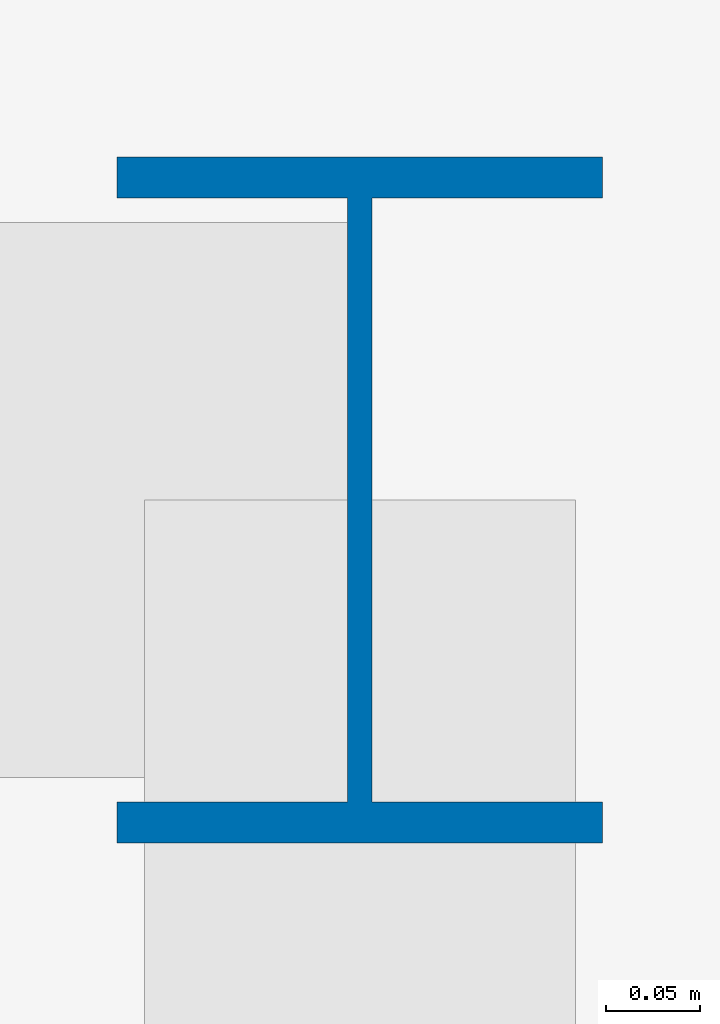
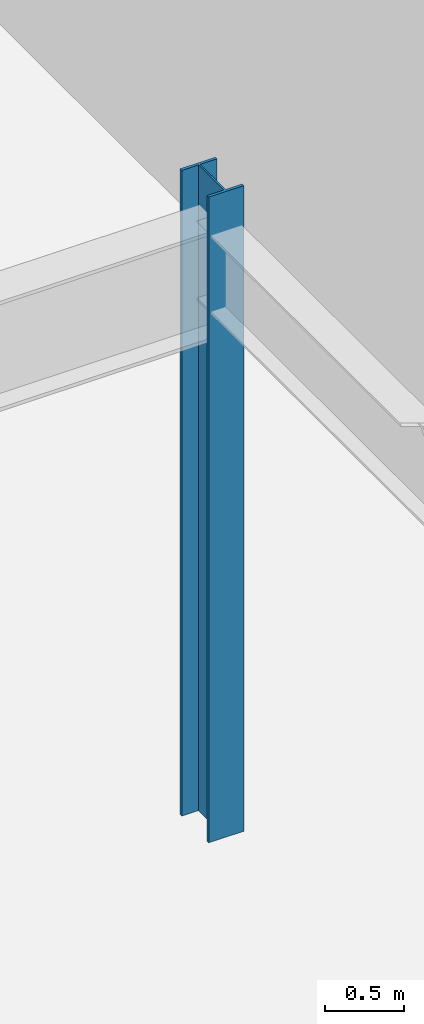
# One storey, part 3 of 14: 1 column.
"""IFC4 building model written with IfcOpenShell, lengths in metres."""

from ifc_helpers import new_model, si_unit, derived_unit, direction, frame, origin, origin_2d, place, context, subcontext, project, spatial, i_section, extrude, source, transform, mapped, material, material_profile, profile_set, type_object, element, save


model = new_model("IFC4")

# Units and contexts
model_context = context("Model", 3, precision=1e-05, world=origin(), true_north=direction((0.0, 1.0)))
body_context = subcontext(model_context, "Body", "Model", "MODEL_VIEW")
ifc_project = project(units=[si_unit("LENGTHUNIT", "METRE"), si_unit("AREAUNIT", "SQUARE_METRE"), si_unit("VOLUMEUNIT", "CUBIC_METRE"), si_unit("PLANEANGLEUNIT", "RADIAN"), si_unit("MASSUNIT", "GRAM", prefix="KILO"), derived_unit("THERMALTRANSMITTANCEUNIT", [(si_unit("POWERUNIT", "WATT"), 1), (si_unit("LENGTHUNIT", "METRE"), -2), (si_unit("THERMODYNAMICTEMPERATUREUNIT", "KELVIN"), -1)])], contexts=[model_context])

# Site, building, storey
site_placement = place(None, origin())
site = spatial("IfcSite", under=ifc_project, at=site_placement, CompositionType="ELEMENT")
building_placement = place(site_placement, origin())
building = spatial("IfcBuilding", under=site, at=building_placement, Name="Skarnbrae Concourse Arena and Tower", CompositionType="ELEMENT")
storey_placement = place(building_placement, frame((0.0, 0.0, 21.0)))
storey = spatial("IfcBuildingStorey", under=building, at=storey_placement, Name="L04", CompositionType="ELEMENT", Elevation=21.0)

# Column
ifc_material = material(Name="Steel CSA G40.21 350W", Category="steel")
ifc_material_profile = material_profile(ifc_material, i_section(OverallWidth=0.257080078125, OverallDepth=0.363037109375, WebThickness=0.012939453125, FlangeThickness=0.021728515625, at=origin_2d()), Name="W360X122")
ifc_profile_set = profile_set([ifc_material_profile], Name="Steel CSA G40.21 350W")
column_type = type_object("IfcColumnType", Name="COL-POD-W360X122", PredefinedType="COLUMN", material=ifc_profile_set)
shared_shape = source(origin(), body_context, "Body", "SweptSolid", [
    extrude(i_section(OverallWidth=0.257080078125, OverallDepth=0.363037109375, WebThickness=0.012939453125, FlangeThickness=0.021728515625, at=origin_2d()), origin(), (0.0, 0.0, 1.0), 5.0),
])
column_placement = place(storey_placement, frame((78.5, 47.0, 0.0), z_axis=(0.0, 0.0, 1.0), x_axis=(1.0, 0.0, 0.0)))
element("IfcColumn", 1, at=column_placement, inside=storey, type_object=column_type, Name="L04 Podium mega-column PC-EP4", PredefinedType="COLUMN", context=body_context, shape_type="MappedRepresentation", body=[
    mapped(shared_shape, transform((0.0, 0.0, 0.0))),
])

save(model, "model.ifc")
